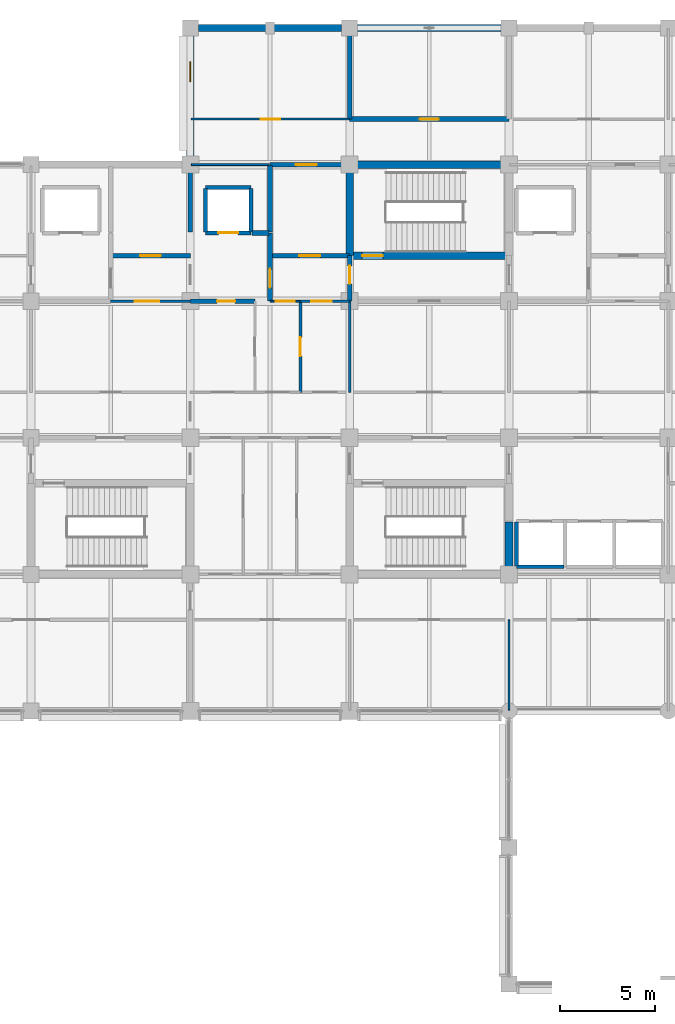
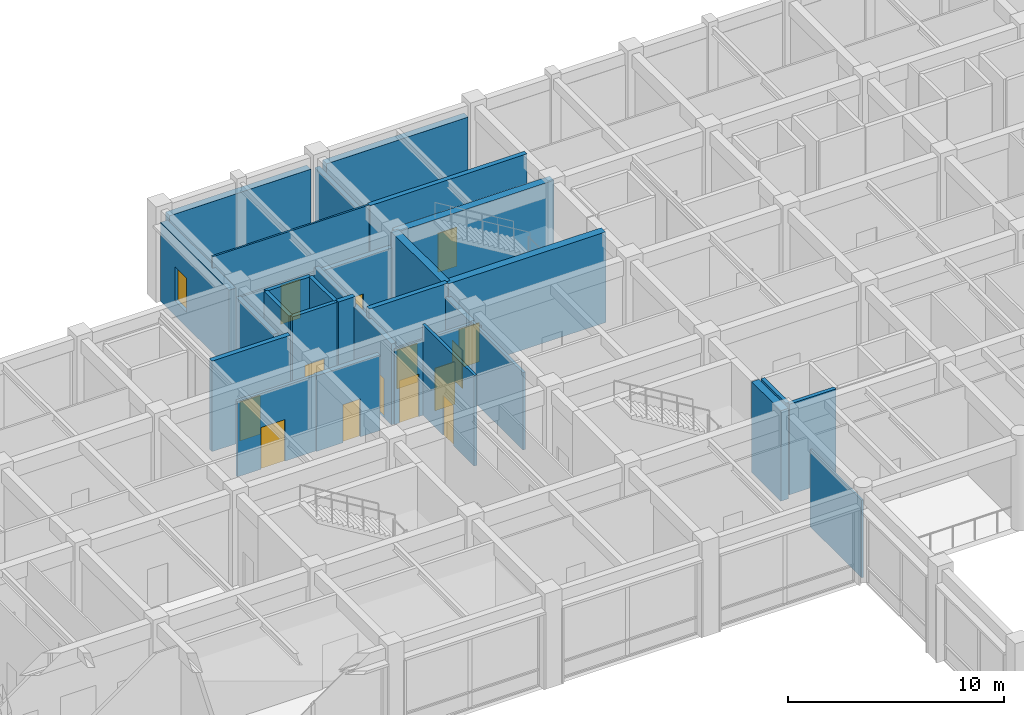
# One storey, part 29 of 51: 32 walls, 14 doors, 1 window, 15 openings.
"""IFC4 building model written with IfcOpenShell, lengths in metres."""

from ifc_helpers import new_model, si_unit, direction, frame, frame_2d, origin, place, context, subcontext, project, spatial, rectangle, extrude, material, layer, layer_set, type_object, element, fill, save


model = new_model("IFC4")

# Units and contexts
model_context = context("Model", 3, precision=1e-05, world=origin(), true_north=direction((0.0, 1.0)))
body_context = subcontext(model_context, "Body", "Model", "MODEL_VIEW")
ifc_project = project(units=[si_unit("LENGTHUNIT", "METRE"), si_unit("AREAUNIT", "SQUARE_METRE"), si_unit("VOLUMEUNIT", "CUBIC_METRE"), si_unit("PLANEANGLEUNIT", "RADIAN"), si_unit("MASSUNIT", "GRAM", prefix="KILO")], contexts=[model_context])

# Site, building, storey
site_placement = place(None, origin())
site = spatial("IfcSite", under=ifc_project, at=site_placement, CompositionType="ELEMENT")
building_placement = place(site_placement, origin())
building = spatial("IfcBuilding", under=site, at=building_placement, Name="Chengyuan Square Courthouse", CompositionType="ELEMENT")
storey_placement = place(building_placement, frame((0.0, 0.0, 10.800048828125)))
storey = spatial("IfcBuildingStorey", under=building, at=storey_placement, Name="L03", CompositionType="ELEMENT", Elevation=10.800048828125)

# Wall
ifc_material_1 = material(Name="Concrete C40", Category="concrete")
ifc_layer_1 = layer(ifc_material_1, 0.3798828125)
ifc_layer_set_1 = layer_set([ifc_layer_1], Name="Concrete C40")
wall_type_1 = type_object("IfcWallType", Name="WL-EW1", PredefinedType="STANDARD", material=ifc_layer_set_1)
wall_1_placement = place(storey_placement, frame((50.820068359375, 115.199951171875, 0.0), z_axis=(0.0, 0.0, 1.0), x_axis=(1.0, 0.0, 0.0)))
element("IfcWall", 1, at=wall_1_placement, inside=storey, type_object=wall_type_1, Name="Exterior Wall WL-L03-E271", PredefinedType="STANDARD", context=body_context, shape_type="SweptSolid", body=[
    extrude(rectangle(XDim=7.559814453125, YDim=0.3798828125, at=frame_2d((3.77978515625, 0.0))), origin(), (0.0, 0.0, 1.0), 4.469970703125),
])

# Wall, opening, window
wall_2_placement = place(storey_placement, frame((50.39990234375, 108.445068359375, 0.0), z_axis=(0.0, 0.0, 1.0), x_axis=(0.0, 1.0, 0.0)))
wall_2 = element("IfcWall", 2, at=wall_2_placement, inside=storey, type_object=wall_type_1, Name="Exterior Wall WL-L03-E272", PredefinedType="STANDARD", context=body_context, shape_type="SweptSolid", body=[
    extrude(rectangle(XDim=6.3349609375, YDim=0.3798828125, at=frame_2d((3.16748046875, 0.0))), origin(), (0.0, 0.0, 1.0), 4.469970703125),
])
opening_1_placement = place(wall_2_placement, frame((3.929931640625, 0.0, 0.85009765625)))
opening_1 = element("IfcOpeningElement", 3, at=opening_1_placement, cuts=wall_2, Name="Opening WN-069", PredefinedType="OPENING", context=body_context, shape_type="SweptSolid", body=[
    extrude(rectangle(XDim=1.050048828125, YDim=1.919921875, at=frame_2d((0.52490234375, 0.9599609375))), frame((0.0, 0.201904296875, 0.0), z_axis=(0.0, -1.0, 0.0), x_axis=(1.0, 0.0, 0.0)), (0.0, 0.0, 1.0), 0.40380859375),
])
ifc_material_2 = material(Name="Thermally Broken Aluminium Triple Low-E Window", Category="aluminium")
window_type = type_object("IfcWindowType", Name="WT-11", PartitioningType="SINGLE_PANEL", PredefinedType="WINDOW", material=ifc_material_2)
window_placement = place(opening_1_placement, origin())
window = element("IfcWindow", 4, at=window_placement, inside=storey, type_object=window_type, Name="Facade Window WN-069", OverallHeight=1.919921875, OverallWidth=1.050048828125, PartitioningType="SINGLE_PANEL", PredefinedType="WINDOW", context=body_context, shape_type="SweptSolid", body=[
    extrude(rectangle(XDim=1.050048828125, YDim=1.919921875, at=frame_2d((0.52490234375, 0.9599609375))), frame((0.0, 0.030029296875, 0.0), z_axis=(0.0, -1.0, 0.0), x_axis=(1.0, 0.0, 0.0)), (0.0, 0.0, 1.0), 0.06005859375),
])
fill(opening_1, window)

# Wall
wall_3_placement = place(storey_placement, frame((59.219970703125, 115.199951171875, 0.0), z_axis=(0.0, 0.0, 1.0), x_axis=(1.0, 0.0, 0.0)))
element("IfcWall", 5, at=wall_3_placement, inside=storey, type_object=wall_type_1, Name="Exterior Wall WL-L03-E273", PredefinedType="STANDARD", context=body_context, shape_type="SweptSolid", body=[
    extrude(rectangle(XDim=7.56005859375, YDim=0.3798828125, at=frame_2d((3.780029296875, 0.0))), origin(), (0.0, 0.0, 1.0), 4.469970703125),
])

# Wall, opening, door
ifc_layer_2 = layer(ifc_material_1, 0.25)
ifc_layer_set_2 = layer_set([ifc_layer_2], Name="Concrete C40")
wall_type_2 = type_object("IfcWallType", Name="WL-FW1", PredefinedType="STANDARD", material=ifc_layer_set_2)
wall_4_placement = place(storey_placement, frame((50.39990234375, 100.800048828125, 0.0), z_axis=(0.0, 0.0, 1.0), x_axis=(1.0, 0.0, 0.0)))
wall_4 = element("IfcWall", 6, at=wall_4_placement, inside=storey, type_object=wall_type_2, Name="Interior Wall WL-L03-I1481", PredefinedType="STANDARD", context=body_context, shape_type="SweptSolid", body=[
    extrude(rectangle(XDim=3.400146484375, YDim=0.25, at=frame_2d((1.7001953125, 0.0))), origin(), (0.0, 0.0, 1.0), 4.27001953125),
])
opening_2_placement = place(wall_4_placement, frame((1.409912109375, 0.0, 0.0)))
opening_2 = element("IfcOpeningElement", 7, at=opening_2_placement, cuts=wall_4, Name="Opening DR-1403", PredefinedType="OPENING", context=body_context, shape_type="SweptSolid", body=[
    extrude(rectangle(XDim=0.949951171875, YDim=2.14990234375, at=frame_2d((0.47509765625, 1.074951171875))), frame((0.0, 0.136962890625, 0.0), z_axis=(0.0, -1.0, 0.0), x_axis=(1.0, 0.0, 0.0)), (0.0, 0.0, 1.0), 0.27392578125),
])
ifc_material_3 = material(Name="Steel Q235B Fire Door", Category="steel")
door_type_1 = type_object("IfcDoorType", Name="DT-12", OperationType="NOTDEFINED", PredefinedType="DOOR", material=ifc_material_3)
door_1_placement = place(opening_2_placement, origin())
door_1 = element("IfcDoor", 8, at=door_1_placement, inside=storey, type_object=door_type_1, Name="Interior Door DR-1403", OperationType="SINGLE_SWING_LEFT", OverallHeight=2.14990234375, OverallWidth=0.949951171875, PredefinedType="DOOR", context=body_context, shape_type="SweptSolid", body=[
    extrude(rectangle(XDim=0.949951171875, YDim=2.14990234375, at=frame_2d((0.47509765625, 1.074951171875))), frame((0.0, 0.02490234375, 0.0), z_axis=(0.0, -1.0, 0.0), x_axis=(1.0, 0.0, 0.0)), (0.0, 0.0, 1.0), 0.050048828125),
])
fill(opening_2, door_1)

wall_5_placement = place(storey_placement, frame((46.199951171875, 103.199951171875, 0.0), z_axis=(0.0, 0.0, 1.0), x_axis=(1.0, 0.0, 0.0)))
wall_5 = element("IfcWall", 9, at=wall_5_placement, inside=storey, type_object=wall_type_2, Name="Interior Wall WL-L03-I1499", PredefinedType="STANDARD", context=body_context, shape_type="SweptSolid", body=[
    extrude(rectangle(XDim=4.199951171875, YDim=0.25, at=frame_2d((2.10009765625, 0.0))), origin(), (0.0, 0.0, 1.0), 5.119873046875),
])
opening_3_placement = place(wall_5_placement, frame((1.550048828125, 0.0, 0.0)))
opening_3 = element("IfcOpeningElement", 10, at=opening_3_placement, cuts=wall_5, Name="Opening DR-1383", PredefinedType="OPENING", context=body_context, shape_type="SweptSolid", body=[
    extrude(rectangle(XDim=1.10009765625, YDim=2.199951171875, at=frame_2d((0.550048828125, 1.10009765625))), frame((0.0, 0.136962890625, 0.0), z_axis=(0.0, -1.0, 0.0), x_axis=(1.0, 0.0, 0.0)), (0.0, 0.0, 1.0), 0.27392578125),
])
door_type_2 = type_object("IfcDoorType", Name="DT-10", OperationType="NOTDEFINED", PredefinedType="DOOR", material=ifc_material_3)
door_2_placement = place(opening_3_placement, origin())
door_2 = element("IfcDoor", 11, at=door_2_placement, inside=storey, type_object=door_type_2, Name="Interior Door DR-1383", OperationType="SINGLE_SWING_RIGHT", OverallHeight=2.199951171875, OverallWidth=1.10009765625, PredefinedType="DOOR", context=body_context, shape_type="SweptSolid", body=[
    extrude(rectangle(XDim=1.10009765625, YDim=2.199951171875, at=frame_2d((0.550048828125, 1.10009765625))), frame((0.0, 0.02490234375, 0.0), z_axis=(0.0, -1.0, 0.0), x_axis=(1.0, 0.0, 0.0)), (0.0, 0.0, 1.0), 0.050048828125),
])
fill(opening_3, door_2)

wall_6_placement = place(storey_placement, frame((54.60009765625, 103.199951171875, 0.0), z_axis=(0.0, 0.0, 1.0), x_axis=(1.0, 0.0, 0.0)))
wall_6 = element("IfcWall", 12, at=wall_6_placement, inside=storey, type_object=wall_type_2, Name="Interior Wall WL-L03-I1500", PredefinedType="STANDARD", context=body_context, shape_type="SweptSolid", body=[
    extrude(rectangle(XDim=4.199951171875, YDim=0.25, at=frame_2d((2.10009765625, 0.0))), origin(), (0.0, 0.0, 1.0), 5.119873046875),
])
opening_4_placement = place(wall_6_placement, frame((1.550048828125, 0.0, 0.0)))
opening_4 = element("IfcOpeningElement", 13, at=opening_4_placement, cuts=wall_6, Name="Opening DR-1404", PredefinedType="OPENING", context=body_context, shape_type="SweptSolid", body=[
    extrude(rectangle(XDim=1.10009765625, YDim=2.199951171875, at=frame_2d((0.550048828125, 1.10009765625))), frame((0.0, 0.136962890625, 0.0), z_axis=(0.0, -1.0, 0.0), x_axis=(1.0, 0.0, 0.0)), (0.0, 0.0, 1.0), 0.27392578125),
])
door_3_placement = place(opening_4_placement, origin())
door_3 = element("IfcDoor", 14, at=door_3_placement, inside=storey, type_object=door_type_2, Name="Interior Door DR-1404", OperationType="SINGLE_SWING_RIGHT", OverallHeight=2.199951171875, OverallWidth=1.10009765625, PredefinedType="DOOR", context=body_context, shape_type="SweptSolid", body=[
    extrude(rectangle(XDim=1.10009765625, YDim=2.199951171875, at=frame_2d((0.550048828125, 1.10009765625))), frame((0.0, 0.02490234375, 0.0), z_axis=(0.0, -1.0, 0.0), x_axis=(1.0, 0.0, 0.0)), (0.0, 0.0, 1.0), 0.050048828125),
])
fill(opening_4, door_3)

# Wall
wall_7_placement = place(storey_placement, frame((53.64990234375, 104.39990234375, 0.0), z_axis=(0.0, 0.0, 1.0), x_axis=(1.0, 0.0, 0.0)))
element("IfcWall", 15, at=wall_7_placement, inside=storey, type_object=wall_type_2, Name="Interior Wall WL-L03-I1510", PredefinedType="STANDARD", context=body_context, shape_type="SweptSolid", body=[
    extrude(rectangle(XDim=0.900146484375, YDim=0.25, at=frame_2d((0.4501953125, 0.0))), origin(), (0.0, 0.0, 1.0), 5.119873046875),
])

# Wall, opening, door
wall_8_placement = place(storey_placement, frame((54.60009765625, 108.0, 0.0), z_axis=(0.0, 0.0, 1.0), x_axis=(1.0, 0.0, 0.0)))
wall_8 = element("IfcWall", 16, at=wall_8_placement, inside=storey, type_object=wall_type_2, Name="Interior Wall WL-L03-I1532", PredefinedType="STANDARD", context=body_context, shape_type="SweptSolid", body=[
    extrude(rectangle(XDim=4.199951171875, YDim=0.25, at=frame_2d((2.10009765625, 0.0))), origin(), (0.0, 0.0, 1.0), 4.27001953125),
])
opening_5_placement = place(wall_8_placement, frame((1.364990234375, 0.0, 0.0)))
opening_5 = element("IfcOpeningElement", 17, at=opening_5_placement, cuts=wall_8, Name="Opening DR-1407", PredefinedType="OPENING", context=body_context, shape_type="SweptSolid", body=[
    extrude(rectangle(XDim=1.10009765625, YDim=2.199951171875, at=frame_2d((0.550048828125, 1.10009765625))), frame((0.0, 0.136962890625, 0.0), z_axis=(0.0, -1.0, 0.0), x_axis=(1.0, 0.0, 0.0)), (0.0, 0.0, 1.0), 0.27392578125),
])
door_4_placement = place(opening_5_placement, origin())
door_4 = element("IfcDoor", 18, at=door_4_placement, inside=storey, type_object=door_type_2, Name="Interior Door DR-1407", OperationType="SINGLE_SWING_LEFT", OverallHeight=2.199951171875, OverallWidth=1.10009765625, PredefinedType="DOOR", context=body_context, shape_type="SweptSolid", body=[
    extrude(rectangle(XDim=1.10009765625, YDim=2.199951171875, at=frame_2d((0.550048828125, 1.10009765625))), frame((0.0, 0.02490234375, 0.0), z_axis=(0.0, -1.0, 0.0), x_axis=(1.0, 0.0, 0.0)), (0.0, 0.0, 1.0), 0.050048828125),
])
fill(opening_5, door_4)

wall_9_placement = place(storey_placement, frame((58.800048828125, 110.39990234375, 0.0), z_axis=(0.0, 0.0, 1.0), x_axis=(1.0, 0.0, 0.0)))
wall_9 = element("IfcWall", 19, at=wall_9_placement, inside=storey, type_object=wall_type_2, Name="Interior Wall WL-L03-I1545", PredefinedType="STANDARD", context=body_context, shape_type="SweptSolid", body=[
    extrude(rectangle(XDim=8.39990234375, YDim=0.25, at=frame_2d((4.199951171875, 0.0))), origin(), (0.0, 0.0, 1.0), 5.119873046875),
])
opening_6_placement = place(wall_9_placement, frame((3.699951171875, 0.0, 0.0)))
opening_6 = element("IfcOpeningElement", 20, at=opening_6_placement, cuts=wall_9, Name="Opening DR-1567", PredefinedType="OPENING", context=body_context, shape_type="SweptSolid", body=[
    extrude(rectangle(XDim=1.0, YDim=2.199951171875, at=frame_2d((0.5, 1.10009765625))), frame((0.0, 0.136962890625, 0.0), z_axis=(0.0, -1.0, 0.0), x_axis=(1.0, 0.0, 0.0)), (0.0, 0.0, 1.0), 0.27392578125),
])
door_type_3 = type_object("IfcDoorType", Name="DT-11", OperationType="NOTDEFINED", PredefinedType="DOOR", material=ifc_material_3)
door_5_placement = place(opening_6_placement, origin())
door_5 = element("IfcDoor", 21, at=door_5_placement, inside=storey, type_object=door_type_3, Name="Interior Door DR-1567", OperationType="SINGLE_SWING_LEFT", OverallHeight=2.199951171875, OverallWidth=1.0, PredefinedType="DOOR", context=body_context, shape_type="SweptSolid", body=[
    extrude(rectangle(XDim=1.0, YDim=2.199951171875, at=frame_2d((0.5, 1.10009765625))), frame((0.0, 0.02490234375, 0.0), z_axis=(0.0, -1.0, 0.0), x_axis=(1.0, 0.0, 0.0)), (0.0, 0.0, 1.0), 0.050048828125),
])
fill(opening_6, door_5)

# Wall
wall_10_placement = place(storey_placement, frame((50.39990234375, 104.449951171875, 0.0), z_axis=(0.0, 0.0, 1.0), x_axis=(0.0, 1.0, 0.0)))
element("IfcWall", 22, at=wall_10_placement, inside=storey, type_object=wall_type_2, Name="Interior Wall WL-L03-I1594", PredefinedType="STANDARD", context=body_context, shape_type="SweptSolid", body=[
    extrude(rectangle(XDim=3.4599609375, YDim=0.25, at=frame_2d((1.72998046875, 0.0))), origin(), (0.0, 0.0, 1.0), 4.369873046875),
])

# Wall, opening, door
wall_11_placement = place(storey_placement, frame((54.60009765625, 100.800048828125, 0.0), z_axis=(0.0, 0.0, 1.0), x_axis=(0.0, 1.0, 0.0)))
wall_11 = element("IfcWall", 23, at=wall_11_placement, inside=storey, type_object=wall_type_2, Name="Interior Wall WL-L03-I1599", PredefinedType="STANDARD", context=body_context, shape_type="SweptSolid", body=[
    extrude(rectangle(XDim=3.599853515625, YDim=0.25, at=frame_2d((1.7998046875, 0.0))), origin(), (0.0, 0.0, 1.0), 4.570068359375),
])
opening_7_placement = place(wall_11_placement, frame((0.699951171875, 0.0, 0.0)))
opening_7 = element("IfcOpeningElement", 24, at=opening_7_placement, cuts=wall_11, Name="Opening DR-1402", PredefinedType="OPENING", context=body_context, shape_type="SweptSolid", body=[
    extrude(rectangle(XDim=1.0, YDim=2.199951171875, at=frame_2d((0.5, 1.10009765625))), frame((0.0, 0.136962890625, 0.0), z_axis=(0.0, -1.0, 0.0), x_axis=(1.0, 0.0, 0.0)), (0.0, 0.0, 1.0), 0.27392578125),
])
door_6_placement = place(opening_7_placement, origin())
door_6 = element("IfcDoor", 25, at=door_6_placement, inside=storey, type_object=door_type_3, Name="Interior Door DR-1402", OperationType="SINGLE_SWING_RIGHT", OverallHeight=2.199951171875, OverallWidth=1.0, PredefinedType="DOOR", context=body_context, shape_type="SweptSolid", body=[
    extrude(rectangle(XDim=1.0, YDim=2.199951171875, at=frame_2d((0.5, 1.10009765625))), frame((0.0, 0.02490234375, 0.0), z_axis=(0.0, -1.0, 0.0), x_axis=(1.0, 0.0, 0.0)), (0.0, 0.0, 1.0), 0.050048828125),
])
fill(opening_7, door_6)

# Wall
wall_12_placement = place(storey_placement, frame((54.60009765625, 104.449951171875, 0.0), z_axis=(0.0, 0.0, 1.0), x_axis=(0.0, 1.0, 0.0)))
element("IfcWall", 26, at=wall_12_placement, inside=storey, type_object=wall_type_2, Name="Interior Wall WL-L03-I1600", PredefinedType="STANDARD", context=body_context, shape_type="SweptSolid", body=[
    extrude(rectangle(XDim=3.5, YDim=0.25, at=frame_2d((1.75, 0.0))), origin(), (0.0, 0.0, 1.0), 4.570068359375),
])

# Wall, opening, door
wall_13_placement = place(storey_placement, frame((58.800048828125, 100.800048828125, 0.0), z_axis=(0.0, 0.0, 1.0), x_axis=(0.0, 1.0, 0.0)))
wall_13 = element("IfcWall", 27, at=wall_13_placement, inside=storey, type_object=wall_type_2, Name="Interior Wall WL-L03-I1607", PredefinedType="STANDARD", context=body_context, shape_type="SweptSolid", body=[
    extrude(rectangle(XDim=2.39990234375, YDim=0.25, at=frame_2d((1.199951171875, 0.0))), origin(), (0.0, 0.0, 1.0), 4.369873046875),
])
opening_8_placement = place(wall_13_placement, frame((0.909912109375, 0.0, 0.0)))
opening_8 = element("IfcOpeningElement", 28, at=opening_8_placement, cuts=wall_13, Name="Opening DR-1328", PredefinedType="OPENING", context=body_context, shape_type="SweptSolid", body=[
    extrude(rectangle(XDim=0.949951171875, YDim=2.14990234375, at=frame_2d((0.47509765625, 1.074951171875))), frame((0.0, 0.136962890625, 0.0), z_axis=(0.0, -1.0, 0.0), x_axis=(1.0, 0.0, 0.0)), (0.0, 0.0, 1.0), 0.27392578125),
])
door_7_placement = place(opening_8_placement, origin())
door_7 = element("IfcDoor", 29, at=door_7_placement, inside=storey, type_object=door_type_1, Name="Interior Door DR-1328", OperationType="SINGLE_SWING_LEFT", OverallHeight=2.14990234375, OverallWidth=0.949951171875, PredefinedType="DOOR", context=body_context, shape_type="SweptSolid", body=[
    extrude(rectangle(XDim=0.949951171875, YDim=2.14990234375, at=frame_2d((0.47509765625, 1.074951171875))), frame((0.0, 0.02490234375, 0.0), z_axis=(0.0, -1.0, 0.0), x_axis=(1.0, 0.0, 0.0)), (0.0, 0.0, 1.0), 0.050048828125),
])
fill(opening_8, door_7)

# Wall
wall_14_placement = place(storey_placement, frame((58.800048828125, 110.39990234375, 0.0), z_axis=(0.0, 0.0, 1.0), x_axis=(0.0, 1.0, 0.0)))
element("IfcWall", 30, at=wall_14_placement, inside=storey, type_object=wall_type_2, Name="Interior Wall WL-L03-I1609", PredefinedType="STANDARD", context=body_context, shape_type="SweptSolid", body=[
    extrude(rectangle(XDim=4.760009765625, YDim=0.25, at=frame_2d((2.3798828125, 0.0))), origin(), (0.0, 0.0, 1.0), 4.369873046875),
])

# Wall, opening, door
ifc_material_4 = material(Name="Deliberation Room Sound-Insulated Partition")
ifc_layer_3 = layer(ifc_material_4, 0.14990234375)
ifc_layer_set_3 = layer_set([ifc_layer_3], Name="Deliberation Room Sound-Insulated Partition")
wall_type_3 = type_object("IfcWallType", Name="WL-PT3", PredefinedType="STANDARD", material=ifc_layer_set_3)
wall_15_placement = place(storey_placement, frame((46.199951171875, 100.800048828125, 0.0), z_axis=(0.0, 0.0, 1.0), x_axis=(1.0, 0.0, 0.0)))
wall_15 = element("IfcWall", 31, at=wall_15_placement, inside=storey, type_object=wall_type_3, Name="Interior Wall WL-L03-I1480", PredefinedType="STANDARD", context=body_context, shape_type="SweptSolid", body=[
    extrude(rectangle(XDim=4.199951171875, YDim=0.14990234375, at=frame_2d((2.10009765625, 0.0))), origin(), (0.0, 0.0, 1.0), 4.27001953125),
])
opening_9_placement = place(wall_15_placement, frame((1.27490234375, 0.0, 0.0)))
opening_9 = element("IfcOpeningElement", 32, at=opening_9_placement, cuts=wall_15, Name="Opening DR-1385", PredefinedType="OPENING", context=body_context, shape_type="SweptSolid", body=[
    extrude(rectangle(XDim=1.280029296875, YDim=2.35009765625, at=frame_2d((0.64013671875, 1.175048828125))), frame((0.0, 0.0869140625, 0.0), z_axis=(0.0, -1.0, 0.0), x_axis=(1.0, 0.0, 0.0)), (0.0, 0.0, 1.0), 0.173828125),
])
ifc_material_5 = material(Name="Acoustic Solid-Core Timber Door", Category="wood")
door_type_4 = type_object("IfcDoorType", Name="DT-38", OperationType="NOTDEFINED", PredefinedType="DOOR", material=ifc_material_5)
door_8_placement = place(opening_9_placement, origin())
door_8 = element("IfcDoor", 33, at=door_8_placement, inside=storey, type_object=door_type_4, Name="Interior Door DR-1385", OperationType="SINGLE_SWING_RIGHT", OverallHeight=2.35009765625, OverallWidth=1.280029296875, PredefinedType="DOOR", context=body_context, shape_type="SweptSolid", body=[
    extrude(rectangle(XDim=1.280029296875, YDim=2.35009765625, at=frame_2d((0.64013671875, 1.175048828125))), frame((0.0, 0.02490234375, 0.0), z_axis=(0.0, -1.0, 0.0), x_axis=(1.0, 0.0, 0.0)), (0.0, 0.0, 1.0), 0.050048828125),
])
fill(opening_9, door_8)

wall_16_placement = place(storey_placement, frame((56.199951171875, 100.800048828125, 0.0), z_axis=(0.0, 0.0, 1.0), x_axis=(1.0, 0.0, 0.0)))
wall_16 = element("IfcWall", 34, at=wall_16_placement, inside=storey, type_object=wall_type_3, Name="Interior Wall WL-L03-I1483", PredefinedType="STANDARD", context=body_context, shape_type="SweptSolid", body=[
    extrude(rectangle(XDim=2.60009765625, YDim=0.14990234375, at=frame_2d((1.300048828125, 0.0))), origin(), (0.0, 0.0, 1.0), 4.27001953125),
])
opening_10_placement = place(wall_16_placement, frame((0.5849609375, 0.0, 0.0)))
opening_10 = element("IfcOpeningElement", 35, at=opening_10_placement, cuts=wall_16, Name="Opening DR-1406", PredefinedType="OPENING", context=body_context, shape_type="SweptSolid", body=[
    extrude(rectangle(XDim=1.06005859375, YDim=2.39990234375, at=frame_2d((0.530029296875, 1.199951171875))), frame((0.0, 0.0869140625, 0.0), z_axis=(0.0, -1.0, 0.0), x_axis=(1.0, 0.0, 0.0)), (0.0, 0.0, 1.0), 0.173828125),
])
door_type_5 = type_object("IfcDoorType", Name="DT-42", OperationType="NOTDEFINED", PredefinedType="DOOR", material=ifc_material_5)
door_9_placement = place(opening_10_placement, origin())
door_9 = element("IfcDoor", 36, at=door_9_placement, inside=storey, type_object=door_type_5, Name="Interior Door DR-1406", OperationType="SINGLE_SWING_RIGHT", OverallHeight=2.39990234375, OverallWidth=1.06005859375, PredefinedType="DOOR", context=body_context, shape_type="SweptSolid", body=[
    extrude(rectangle(XDim=1.06005859375, YDim=2.39990234375, at=frame_2d((0.530029296875, 1.199951171875))), frame((0.0, 0.02490234375, 0.0), z_axis=(0.0, -1.0, 0.0), x_axis=(1.0, 0.0, 0.0)), (0.0, 0.0, 1.0), 0.050048828125),
])
fill(opening_10, door_9)

wall_17_placement = place(storey_placement, frame((56.199951171875, 96.0, 0.0), z_axis=(0.0, 0.0, 1.0), x_axis=(0.0, 1.0, 0.0)))
wall_17 = element("IfcWall", 37, at=wall_17_placement, inside=storey, type_object=wall_type_3, Name="Interior Wall WL-L03-I1602", PredefinedType="STANDARD", context=body_context, shape_type="SweptSolid", body=[
    extrude(rectangle(XDim=4.800048828125, YDim=0.14990234375, at=frame_2d((2.39990234375, 0.0))), origin(), (0.0, 0.0, 1.0), 5.119873046875),
])
opening_11_placement = place(wall_17_placement, frame((1.89990234375, 0.0, 0.0)))
opening_11 = element("IfcOpeningElement", 38, at=opening_11_placement, cuts=wall_17, Name="Opening DR-1514", PredefinedType="OPENING", context=body_context, shape_type="SweptSolid", body=[
    extrude(rectangle(XDim=1.0, YDim=2.25, at=frame_2d((0.5, 1.125))), frame((0.0, 0.0869140625, 0.0), z_axis=(0.0, -1.0, 0.0), x_axis=(1.0, 0.0, 0.0)), (0.0, 0.0, 1.0), 0.173828125),
])
door_type_6 = type_object("IfcDoorType", Name="DT-31", OperationType="NOTDEFINED", PredefinedType="DOOR", material=ifc_material_5)
door_10_placement = place(opening_11_placement, origin())
door_10 = element("IfcDoor", 39, at=door_10_placement, inside=storey, type_object=door_type_6, Name="Interior Door DR-1514", OperationType="SINGLE_SWING_RIGHT", OverallHeight=2.25, OverallWidth=1.0, PredefinedType="DOOR", context=body_context, shape_type="SweptSolid", body=[
    extrude(rectangle(XDim=1.0, YDim=2.25, at=frame_2d((0.5, 1.125))), frame((0.0, 0.02490234375, 0.0), z_axis=(0.0, -1.0, 0.0), x_axis=(1.0, 0.0, 0.0)), (0.0, 0.0, 1.0), 0.050048828125),
])
fill(opening_11, door_10)

# Wall
wall_18_placement = place(storey_placement, frame((58.800048828125, 96.0, 0.0), z_axis=(0.0, 0.0, 1.0), x_axis=(0.0, 1.0, 0.0)))
element("IfcWall", 40, at=wall_18_placement, inside=storey, type_object=wall_type_3, Name="Interior Wall WL-L03-I1606", PredefinedType="STANDARD", context=body_context, shape_type="SweptSolid", body=[
    extrude(rectangle(XDim=4.800048828125, YDim=0.14990234375, at=frame_2d((2.39990234375, 0.0))), origin(), (0.0, 0.0, 1.0), 4.369873046875),
])

# Wall, opening, door
ifc_material_6 = material(Name="Gypsum Plasterboard Acoustic Stud Partition")
ifc_layer_4 = layer(ifc_material_6, 0.10009765625)
ifc_layer_set_4 = layer_set([ifc_layer_4], Name="Gypsum Plasterboard Acoustic Stud Partition")
wall_type_4 = type_object("IfcWallType", Name="WL-PT6", PredefinedType="STANDARD", material=ifc_layer_set_4)
wall_19_placement = place(storey_placement, frame((54.60009765625, 100.800048828125, 0.0), z_axis=(0.0, 0.0, 1.0), x_axis=(1.0, 0.0, 0.0)))
wall_19 = element("IfcWall", 41, at=wall_19_placement, inside=storey, type_object=wall_type_4, Name="Interior Wall WL-L03-I1482", PredefinedType="STANDARD", context=body_context, shape_type="SweptSolid", body=[
    extrude(rectangle(XDim=1.599853515625, YDim=0.10009765625, at=frame_2d((0.7998046875, 0.0))), origin(), (0.0, 0.0, 1.0), 4.27001953125),
])
opening_12_placement = place(wall_19_placement, frame((0.2900390625, 0.0, 0.0)))
opening_12 = element("IfcOpeningElement", 42, at=opening_12_placement, cuts=wall_19, Name="Opening DR-1405", PredefinedType="OPENING", context=body_context, shape_type="SweptSolid", body=[
    extrude(rectangle(XDim=1.02001953125, YDim=2.39990234375, at=frame_2d((0.510009765625, 1.199951171875))), frame((0.0, 0.06201171875, 0.0), z_axis=(0.0, -1.0, 0.0), x_axis=(1.0, 0.0, 0.0)), (0.0, 0.0, 1.0), 0.1240234375),
])
door_type_7 = type_object("IfcDoorType", Name="DT-41", OperationType="NOTDEFINED", PredefinedType="DOOR", material=ifc_material_5)
door_11_placement = place(opening_12_placement, origin())
door_11 = element("IfcDoor", 43, at=door_11_placement, inside=storey, type_object=door_type_7, Name="Interior Door DR-1405", OperationType="SINGLE_SWING_LEFT", OverallHeight=2.39990234375, OverallWidth=1.02001953125, PredefinedType="DOOR", context=body_context, shape_type="SweptSolid", body=[
    extrude(rectangle(XDim=1.02001953125, YDim=2.39990234375, at=frame_2d((0.510009765625, 1.199951171875))), frame((0.0, 0.02490234375, 0.0), z_axis=(0.0, -1.0, 0.0), x_axis=(1.0, 0.0, 0.0)), (0.0, 0.0, 1.0), 0.050048828125),
])
fill(opening_12, door_11)

# Wall
wall_20_placement = place(storey_placement, frame((50.449951171875, 108.0, 0.0), z_axis=(0.0, 0.0, 1.0), x_axis=(1.0, 0.0, 0.0)))
element("IfcWall", 44, at=wall_20_placement, inside=storey, type_object=wall_type_4, Name="Interior Wall WL-L03-I1531", PredefinedType="STANDARD", context=body_context, shape_type="SweptSolid", body=[
    extrude(rectangle(XDim=4.10009765625, YDim=0.10009765625, at=frame_2d((2.050048828125, 0.0))), origin(), (0.0, 0.0, 1.0), 4.27001953125),
])

# Wall, opening, door
wall_21_placement = place(storey_placement, frame((50.43994140625, 110.39990234375, 0.0), z_axis=(0.0, 0.0, 1.0), x_axis=(1.0, 0.0, 0.0)))
wall_21 = element("IfcWall", 45, at=wall_21_placement, inside=storey, type_object=wall_type_4, Name="Interior Wall WL-L03-I1544", PredefinedType="STANDARD", context=body_context, shape_type="SweptSolid", body=[
    extrude(rectangle(XDim=8.360107421875, YDim=0.10009765625, at=frame_2d((4.18017578125, 0.0))), origin(), (0.0, 0.0, 1.0), 5.119873046875),
])
opening_13_placement = place(wall_21_placement, frame((3.659912109375, 0.0, 0.0)))
opening_13 = element("IfcOpeningElement", 46, at=opening_13_placement, cuts=wall_21, Name="Opening DR-1566", PredefinedType="OPENING", context=body_context, shape_type="SweptSolid", body=[
    extrude(rectangle(XDim=1.0400390625, YDim=2.199951171875, at=frame_2d((0.52001953125, 1.10009765625))), frame((0.0, 0.06201171875, 0.0), z_axis=(0.0, -1.0, 0.0), x_axis=(1.0, 0.0, 0.0)), (0.0, 0.0, 1.0), 0.1240234375),
])
door_type_8 = type_object("IfcDoorType", Name="DT-32", OperationType="NOTDEFINED", PredefinedType="DOOR", material=ifc_material_5)
door_12_placement = place(opening_13_placement, origin())
door_12 = element("IfcDoor", 47, at=door_12_placement, inside=storey, type_object=door_type_8, Name="Interior Door DR-1566", OperationType="SINGLE_SWING_RIGHT", OverallHeight=2.199951171875, OverallWidth=1.0400390625, PredefinedType="DOOR", context=body_context, shape_type="SweptSolid", body=[
    extrude(rectangle(XDim=1.0400390625, YDim=2.199951171875, at=frame_2d((0.52001953125, 1.10009765625))), frame((0.0, 0.02490234375, 0.0), z_axis=(0.0, -1.0, 0.0), x_axis=(1.0, 0.0, 0.0)), (0.0, 0.0, 1.0), 0.050048828125),
])
fill(opening_13, door_12)

# Walls
wall_22_placement = place(storey_placement, frame((67.199951171875, 79.239990234375, 0.0), z_axis=(0.0, 0.0, 1.0), x_axis=(0.0, 1.0, 0.0)))
element("IfcWall", 48, at=wall_22_placement, inside=storey, type_object=wall_type_4, Name="Interior Wall WL-L03-I1610", PredefinedType="STANDARD", context=body_context, shape_type="SweptSolid", body=[
    extrude(rectangle(XDim=4.760009765625, YDim=0.10009765625, at=frame_2d((2.3798828125, 0.0))), origin(), (0.0, 0.0, 1.0), 4.369873046875),
])
ifc_material_7 = material(Name="Reinforced Masonry Shaft Enclosure", Category="masonry")
ifc_layer_5 = layer(ifc_material_7, 0.199951171875)
ifc_layer_set_5 = layer_set([ifc_layer_5], Name="Reinforced Masonry Shaft Enclosure")
wall_type_5 = type_object("IfcWallType", Name="WL-SH1", PredefinedType="STANDARD", material=ifc_layer_set_5)
wall_23_placement = place(storey_placement, frame((67.60009765625, 86.800048828125, 0.0), z_axis=(0.0, 0.0, 1.0), x_axis=(1.0, 0.0, 0.0)))
element("IfcWall", 49, at=wall_23_placement, inside=storey, type_object=wall_type_5, Name="Interior Wall WL-L03-I1433", PredefinedType="STANDARD", context=body_context, shape_type="SweptSolid", body=[
    extrude(rectangle(XDim=2.5, YDim=0.199951171875, at=frame_2d((1.25, 0.0))), origin(), (0.0, 0.0, 1.0), 5.119873046875),
])

# Wall, opening, door
wall_24_placement = place(storey_placement, frame((51.199951171875, 104.39990234375, 0.0), z_axis=(0.0, 0.0, 1.0), x_axis=(1.0, 0.0, 0.0)))
wall_24 = element("IfcWall", 50, at=wall_24_placement, inside=storey, type_object=wall_type_5, Name="Interior Wall WL-L03-I1509", PredefinedType="STANDARD", context=body_context, shape_type="SweptSolid", body=[
    extrude(rectangle(XDim=2.400146484375, YDim=0.199951171875, at=frame_2d((1.2001953125, 0.0))), origin(), (0.0, 0.0, 1.0), 5.119873046875),
])
opening_14_placement = place(wall_24_placement, frame((0.675048828125, 0.0, 0.0)))
opening_14 = element("IfcOpeningElement", 51, at=opening_14_placement, cuts=wall_24, Name="Opening LD-067", PredefinedType="OPENING", context=body_context, shape_type="SweptSolid", body=[
    extrude(rectangle(XDim=1.050048828125, YDim=2.14990234375, at=frame_2d((0.52490234375, 1.074951171875))), frame((0.0, 0.112060546875, 0.0), z_axis=(0.0, -1.0, 0.0), x_axis=(1.0, 0.0, 0.0)), (0.0, 0.0, 1.0), 0.223876953125),
])
ifc_material_8 = material(Name="Stainless Steel S30408 Lift Landing Door", Category="steel")
door_type_9 = type_object("IfcDoorType", Name="DT-08", OperationType="DOUBLE_DOOR_SLIDING", PredefinedType="DOOR", material=ifc_material_8)
door_13_placement = place(opening_14_placement, origin())
door_13 = element("IfcDoor", 52, at=door_13_placement, inside=storey, type_object=door_type_9, Name="Lift Landing Door LF-C1 L03", OperationType="DOUBLE_DOOR_SLIDING", OverallHeight=2.14990234375, OverallWidth=1.050048828125, PredefinedType="DOOR", context=body_context, shape_type="SweptSolid", body=[
    extrude(rectangle(XDim=1.050048828125, YDim=2.14990234375, at=frame_2d((0.52490234375, 1.074951171875))), frame((0.0, 0.02490234375, 0.0), z_axis=(0.0, -1.0, 0.0), x_axis=(1.0, 0.0, 0.0)), (0.0, 0.0, 1.0), 0.050048828125),
])
fill(opening_14, door_13)

# Walls
wall_25_placement = place(storey_placement, frame((51.199951171875, 106.800048828125, 0.0), z_axis=(0.0, 0.0, 1.0), x_axis=(1.0, 0.0, 0.0)))
element("IfcWall", 53, at=wall_25_placement, inside=storey, type_object=wall_type_5, Name="Interior Wall WL-L03-I1522", PredefinedType="STANDARD", context=body_context, shape_type="SweptSolid", body=[
    extrude(rectangle(XDim=2.400146484375, YDim=0.199951171875, at=frame_2d((1.2001953125, 0.0))), origin(), (0.0, 0.0, 1.0), 5.119873046875),
])
for number, where, z_axis, x_axis, name in (
    (54, (51.199951171875, 104.449951171875, 0.0), (0.0, 0.0, 1.0), (0.0, 1.0, 0.0), "Interior Wall WL-L03-I1595"),
    (55, (53.60009765625, 104.449951171875, 0.0), (0.0, 0.0, 1.0), (0.0, 1.0, 0.0), "Interior Wall WL-L03-I1597"),
):
    element("IfcWall", number, at=place(storey_placement, frame(where, z_axis=z_axis, x_axis=x_axis)), inside=storey, type_object=wall_type_5, Name=name, PredefinedType="STANDARD", context=body_context, shape_type="SweptSolid", body=[
        extrude(rectangle(XDim=2.300048828125, YDim=0.199951171875, at=frame_2d((1.14990234375, 0.0))), origin(), (0.0, 0.0, 1.0), 5.119873046875),
    ])
wall_26_placement = place(storey_placement, frame((67.60009765625, 86.85009765625, 0.0), z_axis=(0.0, 0.0, 1.0), x_axis=(0.0, 1.0, 0.0)))
element("IfcWall", 56, at=wall_26_placement, inside=storey, type_object=wall_type_5, Name="Interior Wall WL-L03-I1619", PredefinedType="STANDARD", context=body_context, shape_type="SweptSolid", body=[
    extrude(rectangle(XDim=2.2998046875, YDim=0.199951171875, at=frame_2d((1.14990234375, 0.0))), origin(), (0.0, 0.0, 1.0), 5.119873046875),
])

# Wall, opening, door
ifc_material_9 = material(Name="Concrete C50", Category="concrete")
ifc_layer_6 = layer(ifc_material_9, 0.39990234375)
ifc_layer_set_6 = layer_set([ifc_layer_6], Name="Concrete C50")
wall_type_6 = type_object("IfcWallType", Name="WL-SW1", PredefinedType="SHEAR", material=ifc_layer_set_6)
wall_27_placement = place(storey_placement, frame((58.800048828125, 103.199951171875, 0.0), z_axis=(0.0, 0.0, 1.0), x_axis=(1.0, 0.0, 0.0)))
wall_27 = element("IfcWall", 57, at=wall_27_placement, inside=storey, type_object=wall_type_6, Name="Interior Wall WL-L03-I1501", PredefinedType="SHEAR", context=body_context, shape_type="SweptSolid", body=[
    extrude(rectangle(XDim=8.39990234375, YDim=0.39990234375, at=frame_2d((4.199951171875, 0.0))), origin(), (0.0, 0.0, 1.0), 5.119873046875),
])
opening_15_placement = place(wall_27_placement, frame((0.64990234375, 0.0, 0.0)))
opening_15 = element("IfcOpeningElement", 58, at=opening_15_placement, cuts=wall_27, Name="Opening DR-1317", PredefinedType="OPENING", context=body_context, shape_type="SweptSolid", body=[
    extrude(rectangle(XDim=1.10009765625, YDim=2.199951171875, at=frame_2d((0.550048828125, 1.10009765625))), frame((0.0, 0.2119140625, 0.0), z_axis=(0.0, -1.0, 0.0), x_axis=(1.0, 0.0, 0.0)), (0.0, 0.0, 1.0), 0.423828125),
])
door_14_placement = place(opening_15_placement, origin())
door_14 = element("IfcDoor", 59, at=door_14_placement, inside=storey, type_object=door_type_2, Name="Smoke-Proof Stairwell Fire Door ST-1 DR-1317", OperationType="SINGLE_SWING_RIGHT", OverallHeight=2.199951171875, OverallWidth=1.10009765625, PredefinedType="DOOR", context=body_context, shape_type="SweptSolid", body=[
    extrude(rectangle(XDim=1.10009765625, YDim=2.199951171875, at=frame_2d((0.550048828125, 1.10009765625))), frame((0.0, 0.02490234375, 0.0), z_axis=(0.0, -1.0, 0.0), x_axis=(1.0, 0.0, 0.0)), (0.0, 0.0, 1.0), 0.050048828125),
])
fill(opening_15, door_14)

# Walls
wall_28_placement = place(storey_placement, frame((58.800048828125, 108.0, 0.0), z_axis=(0.0, 0.0, 1.0), x_axis=(1.0, 0.0, 0.0)))
element("IfcWall", 60, at=wall_28_placement, inside=storey, type_object=wall_type_6, Name="Interior Wall WL-L03-I1533", PredefinedType="SHEAR", context=body_context, shape_type="SweptSolid", body=[
    extrude(rectangle(XDim=8.39990234375, YDim=0.39990234375, at=frame_2d((4.199951171875, 0.0))), origin(), (0.0, 0.0, 1.0), 5.119873046875),
])
wall_29_placement = place(storey_placement, frame((58.800048828125, 103.199951171875, 0.0), z_axis=(0.0, 0.0, 1.0), x_axis=(0.0, 1.0, 0.0)))
element("IfcWall", 61, at=wall_29_placement, inside=storey, type_object=wall_type_6, Name="Interior Wall WL-L03-I1608", PredefinedType="SHEAR", context=body_context, shape_type="SweptSolid", body=[
    extrude(rectangle(XDim=4.800048828125, YDim=0.39990234375, at=frame_2d((2.39990234375, 0.0))), origin(), (0.0, 0.0, 1.0), 5.119873046875),
])
wall_30_placement = place(storey_placement, frame((67.199951171875, 86.449951171875, 0.0), z_axis=(0.0, 0.0, 1.0), x_axis=(0.0, 1.0, 0.0)))
element("IfcWall", 62, at=wall_30_placement, inside=storey, type_object=wall_type_6, Name="Interior Wall WL-L03-I1611", PredefinedType="SHEAR", context=body_context, shape_type="SweptSolid", body=[
    extrude(rectangle(XDim=2.699951171875, YDim=0.39990234375, at=frame_2d((1.35009765625, 0.0))), origin(), (0.0, 0.0, 1.0), 5.119873046875),
])

save(model, "model.ifc")
